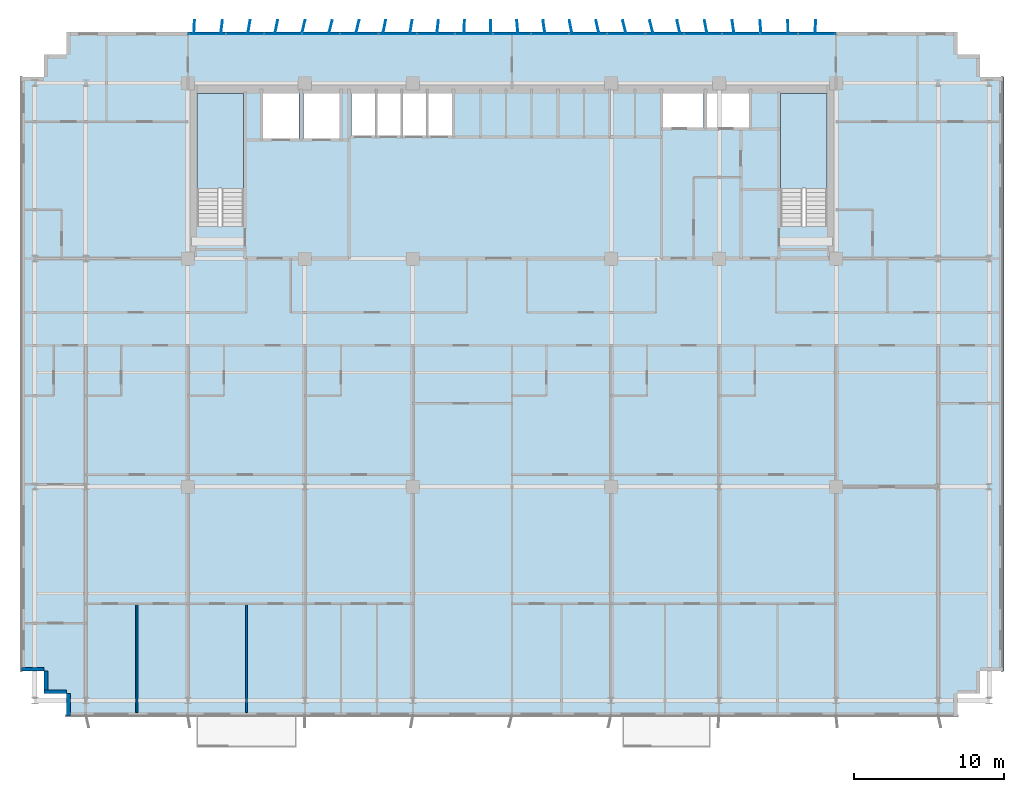
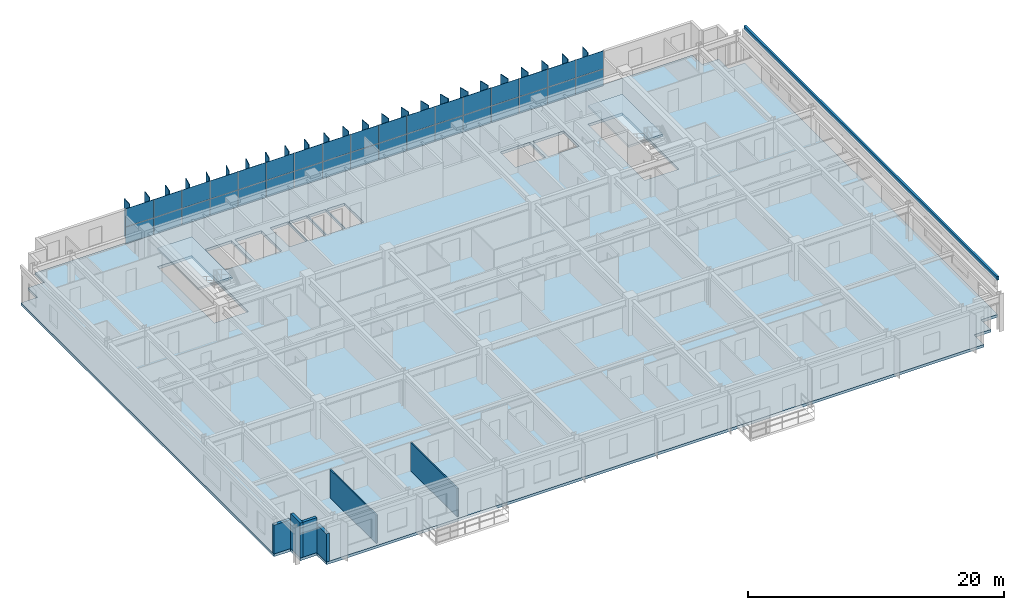
# One storey, part 14 of 24: 59 plates, 6 walls, 3 slabs, 3 elements without a shape of their own.
"""IFC4 building model written with IfcOpenShell, lengths in metres."""

from ifc_helpers import new_model, si_unit, direction, frame, frame_2d, origin, origin_2d, place, context, subcontext, project, spatial, polyline, rectangle, outline, extrude, source, transform, mapped, material, layer, layer_set, type_object, element, aggregate, save


model = new_model("IFC4")

# Units and contexts
model_context = context("Model", 3, precision=1e-05, world=origin(), true_north=direction((0.0, 1.0)))
body_context = subcontext(model_context, "Body", "Model", "MODEL_VIEW")
ifc_project = project(units=[si_unit("LENGTHUNIT", "METRE"), si_unit("AREAUNIT", "SQUARE_METRE"), si_unit("VOLUMEUNIT", "CUBIC_METRE"), si_unit("PLANEANGLEUNIT", "RADIAN"), si_unit("MASSUNIT", "GRAM", prefix="KILO")], contexts=[model_context])

# Site, building, storey
site_placement = place(None, origin())
site = spatial("IfcSite", under=ifc_project, at=site_placement, CompositionType="ELEMENT")
building_placement = place(site_placement, origin())
building = spatial("IfcBuilding", under=site, at=building_placement, Name="Trelvane Seafront Commons", CompositionType="ELEMENT")
storey_placement = place(building_placement, frame((0.0, 0.0, 27.10009765625)))
storey = spatial("IfcBuildingStorey", under=building, at=storey_placement, Name="L06", CompositionType="ELEMENT", Elevation=27.10009765625)

# Stair, slab
ifc_material_1 = material(Name="Concrete C40/50", Category="concrete")
stair_type_1 = type_object("IfcStairType", Name="ARCH-STR-ST-1-R20-180", PredefinedType="HALF_TURN_STAIR", material=ifc_material_1)
stair_1_placement = place(storey_placement, origin())
stair_1 = element("IfcStair", 1, at=stair_1_placement, inside=storey, type_object=stair_type_1, Name="L06 West Protected Firefighting Exit Stair ST-1", PredefinedType="HALF_TURN_STAIR")
ifc_layer_1 = layer(ifc_material_1, 0.199951171875, Name="ARCH-LND-200")
ifc_layer_set_1 = layer_set([ifc_layer_1], Name="Concrete C40/50")
slab_type_1 = type_object("IfcSlabType", Name="ARCH-LND-200", PredefinedType="LANDING", material=ifc_layer_set_1)
slab_1_placement = place(storey_placement, frame((0.0, 0.0, 1.599853515625)))
slab_1 = element("IfcSlab", 2, at=slab_1_placement, type_object=slab_type_1, Name="ST-1 landing 1", PredefinedType="LANDING", context=body_context, shape_type="SweptSolid", body=[
    extrude(outline(polyline([(19.300048828125, 38.070068359375), (19.300048828125, 44.39990234375), (16.199951171875, 44.39990234375), (16.199951171875, 38.070068359375), (19.300048828125, 38.070068359375)])), origin(), (0.0, 0.0, 1.0), 0.199951171875),
])
aggregate(stair_1, [slab_1])

stair_type_2 = type_object("IfcStairType", Name="ARCH-STR-ST-2-R20-180", PredefinedType="HALF_TURN_STAIR", material=ifc_material_1)
stair_2_placement = place(storey_placement, origin())
stair_2 = element("IfcStair", 3, at=stair_2_placement, inside=storey, type_object=stair_type_2, Name="L06 East Protected Firefighting Exit Stair ST-2", PredefinedType="HALF_TURN_STAIR")
slab_2_placement = place(storey_placement, frame((0.0, 0.0, 1.599853515625)))
slab_2 = element("IfcSlab", 4, at=slab_2_placement, type_object=slab_type_1, Name="ST-2 landing 1", PredefinedType="LANDING", context=body_context, shape_type="SweptSolid", body=[
    extrude(outline(polyline([(58.199951171875, 38.070068359375), (58.199951171875, 44.39990234375), (55.10009765625, 44.39990234375), (55.10009765625, 38.070068359375), (58.199951171875, 38.070068359375)])), origin(), (0.0, 0.0, 1.0), 0.199951171875),
])
aggregate(stair_2, [slab_2])

# Slab
ifc_material_2 = material(Name="Concrete C50/60", Category="concrete")
ifc_layer_2 = layer(ifc_material_2, 0.260009765625, Name="STR-SLB-Z1-260")
ifc_layer_set_2 = layer_set([ifc_layer_2], Name="Concrete C50/60")
slab_type_2 = type_object("IfcSlabType", Name="STR-SLB-Z1-260", PredefinedType="FLOOR", material=ifc_layer_set_2)
slab_3_placement = place(storey_placement, frame((0.0, 0.0, -0.260009765625)))
element("IfcSlab", 5, at=slab_3_placement, inside=storey, type_object=slab_type_2, Name="L06 Structural Floor Slab", PredefinedType="FLOOR", context=body_context, shape_type="SweptSolid", body=[
    extrude(outline(polyline([(7.5, 2.89990234375), (66.89990234375, 2.89990234375), (66.89990234375, 4.39990234375), (68.39990234375, 4.39990234375), (68.39990234375, 5.89990234375), (69.89990234375, 5.89990234375), (69.89990234375, 45.5), (68.39990234375, 45.5), (68.39990234375, 47.0), (66.89990234375, 47.0), (66.89990234375, 48.5), (7.5, 48.5), (7.5, 47.0), (6.0, 47.0), (6.0, 45.5), (4.5, 45.5), (4.5, 5.89990234375), (6.0, 5.89990234375), (6.0, 4.39990234375), (7.5, 4.39990234375), (7.5, 2.89990234375)]), holes=[polyline([(19.300048828125, 35.550048828125), (16.199951171875, 35.550048828125), (16.199951171875, 44.39990234375), (19.300048828125, 44.39990234375), (19.300048828125, 35.550048828125)]), polyline([(58.199951171875, 35.550048828125), (55.10009765625, 35.550048828125), (55.10009765625, 44.39990234375), (58.199951171875, 44.39990234375), (58.199951171875, 35.550048828125)]), polyline([(23.0, 41.39990234375), (20.60009765625, 41.39990234375), (20.60009765625, 44.60009765625), (23.0, 44.60009765625), (23.0, 41.39990234375)]), polyline([(23.300048828125, 41.39990234375), (23.300048828125, 44.60009765625), (25.699951171875, 44.60009765625), (25.699951171875, 41.39990234375), (23.300048828125, 41.39990234375)]), polyline([(26.5, 41.60009765625), (26.5, 44.60009765625), (28.1201171875, 44.60009765625), (28.1201171875, 41.60009765625), (26.5, 41.60009765625)]), polyline([(29.820068359375, 41.60009765625), (28.199951171875, 41.60009765625), (28.199951171875, 44.60009765625), (29.820068359375, 44.60009765625), (29.820068359375, 41.60009765625)]), polyline([(31.52001953125, 41.60009765625), (29.89990234375, 41.60009765625), (29.89990234375, 44.60009765625), (31.52001953125, 44.60009765625), (31.52001953125, 41.60009765625)]), polyline([(33.219970703125, 41.60009765625), (31.60009765625, 41.60009765625), (31.60009765625, 44.60009765625), (33.219970703125, 44.60009765625), (33.219970703125, 41.60009765625)]), polyline([(47.25, 42.14990234375), (47.25, 44.550048828125), (49.949951171875, 44.550048828125), (49.949951171875, 42.14990234375), (47.25, 42.14990234375)]), polyline([(50.199951171875, 42.14990234375), (50.199951171875, 44.550048828125), (53.0, 44.550048828125), (53.0, 42.14990234375), (50.199951171875, 42.14990234375)])]), origin(), (0.0, 0.0, 1.0), 0.260009765625),
])

# Curtain wall, plates
ifc_material_3 = material(Name="Anodised pale-silver aluminium", Category="aluminium")
curtain_wall_type = type_object("IfcCurtainWallType", Name="ARCH-CW2-LOWTOWER", PredefinedType="NOTDEFINED", material=ifc_material_3)
curtain_wall_placement = place(storey_placement, origin())
curtain_wall = element("IfcCurtainWall", 6, at=curtain_wall_placement, inside=storey, type_object=curtain_wall_type, Name="CW-L06-0030", PredefinedType="NOTDEFINED")
ifc_material_4 = material(Name="Low-E coastal double glazing", Category="glass")
ifc_layer_3 = layer(ifc_material_4, 0.033935546875, Name="ARCH-CW-GLAZ-34")
ifc_layer_set_3 = layer_set([ifc_layer_3], Name="Low-E coastal double glazing")
plate_type_1 = type_object("IfcPlateType", Name="ARCH-CW-GLAZ-34", PredefinedType="CURTAIN_PANEL", material=ifc_layer_set_3)
shared_shape_1 = source(origin(), body_context, "Body", "SweptSolid", [
    extrude(rectangle(XDim=2.51708984375, YDim=0.031982421875, at=origin_2d()), origin(), (0.0, 0.0, 1.0), 1.5849609375),
])
plate_1_placement = place(storey_placement, frame((16.87060546875, 48.3701171875, 0.0), z_axis=(0.0, 0.0, 1.0), x_axis=(1.0, 0.0, 0.0)))
plate_1 = element("IfcPlate", 7, at=plate_1_placement, type_object=plate_type_1, Name="CW-L06-0030-P00-1", PredefinedType="CURTAIN_PANEL", context=body_context, shape_type="MappedRepresentation", body=[
    mapped(shared_shape_1, transform((0.0, 0.0, 0.0), x_axis=(1.0, 0.0, 0.0), y_axis=(0.0, 1.0, 0.0), z_axis=(0.0, 0.0, 1.0), scale=1.0)),
])
plate_2_placement = place(storey_placement, frame((19.411865234375, 48.3701171875, 0.0), z_axis=(0.0, 0.0, 1.0), x_axis=(1.0, 0.0, 0.0)))
plate_2 = element("IfcPlate", 8, at=plate_2_placement, type_object=plate_type_1, Name="CW-L06-0030-P01-1", PredefinedType="CURTAIN_PANEL", context=body_context, shape_type="MappedRepresentation", body=[
    mapped(shared_shape_1, transform((0.0, 0.0, 0.0), x_axis=(1.0, 0.0, 0.0), y_axis=(0.0, 1.0, 0.0), z_axis=(0.0, 0.0, 1.0), scale=1.0)),
])
plate_3_placement = place(storey_placement, frame((21.952880859375, 48.3701171875, 0.0), z_axis=(0.0, 0.0, 1.0), x_axis=(1.0, 0.0, 0.0)))
plate_3 = element("IfcPlate", 9, at=plate_3_placement, type_object=plate_type_1, Name="CW-L06-0030-P02-1", PredefinedType="CURTAIN_PANEL", context=body_context, shape_type="MappedRepresentation", body=[
    mapped(shared_shape_1, transform((0.0, 0.0, 0.0), x_axis=(1.0, 0.0, 0.0), y_axis=(0.0, 1.0, 0.0), z_axis=(0.0, 0.0, 1.0), scale=1.0)),
])
plate_4_placement = place(storey_placement, frame((24.494140625, 48.3701171875, 0.0), z_axis=(0.0, 0.0, 1.0), x_axis=(1.0, 0.0, 0.0)))
plate_4 = element("IfcPlate", 10, at=plate_4_placement, type_object=plate_type_1, Name="CW-L06-0030-P03-1", PredefinedType="CURTAIN_PANEL", context=body_context, shape_type="MappedRepresentation", body=[
    mapped(shared_shape_1, transform((0.0, 0.0, 0.0), x_axis=(1.0, 0.0, 0.0), y_axis=(0.0, 1.0, 0.0), z_axis=(0.0, 0.0, 1.0), scale=1.0)),
])
plate_5_placement = place(storey_placement, frame((27.035400390625, 48.3701171875, 0.0), z_axis=(0.0, 0.0, 1.0), x_axis=(1.0, 0.0, 0.0)))
plate_5 = element("IfcPlate", 11, at=plate_5_placement, type_object=plate_type_1, Name="CW-L06-0030-P04-1", PredefinedType="CURTAIN_PANEL", context=body_context, shape_type="MappedRepresentation", body=[
    mapped(shared_shape_1, transform((0.0, 0.0, 0.0), x_axis=(1.0, 0.0, 0.0), y_axis=(0.0, 1.0, 0.0), z_axis=(0.0, 0.0, 1.0), scale=1.0)),
])
plate_6_placement = place(storey_placement, frame((29.576416015625, 48.3701171875, 0.0), z_axis=(0.0, 0.0, 1.0), x_axis=(1.0, 0.0, 0.0)))
plate_6 = element("IfcPlate", 12, at=plate_6_placement, type_object=plate_type_1, Name="CW-L06-0030-P05-1", PredefinedType="CURTAIN_PANEL", context=body_context, shape_type="MappedRepresentation", body=[
    mapped(shared_shape_1, transform((0.0, 0.0, 0.0), x_axis=(1.0, 0.0, 0.0), y_axis=(0.0, 1.0, 0.0), z_axis=(0.0, 0.0, 1.0), scale=1.0)),
])
plate_7_placement = place(storey_placement, frame((32.11767578125, 48.3701171875, 0.0), z_axis=(0.0, 0.0, 1.0), x_axis=(1.0, 0.0, 0.0)))
plate_7 = element("IfcPlate", 13, at=plate_7_placement, type_object=plate_type_1, Name="CW-L06-0030-P06-1", PredefinedType="CURTAIN_PANEL", context=body_context, shape_type="MappedRepresentation", body=[
    mapped(shared_shape_1, transform((0.0, 0.0, 0.0), x_axis=(1.0, 0.0, 0.0), y_axis=(0.0, 1.0, 0.0), z_axis=(0.0, 0.0, 1.0), scale=1.0)),
])
plate_8_placement = place(storey_placement, frame((34.65869140625, 48.3701171875, 0.0), z_axis=(0.0, 0.0, 1.0), x_axis=(1.0, 0.0, 0.0)))
plate_8 = element("IfcPlate", 14, at=plate_8_placement, type_object=plate_type_1, Name="CW-L06-0030-P07-1", PredefinedType="CURTAIN_PANEL", context=body_context, shape_type="MappedRepresentation", body=[
    mapped(shared_shape_1, transform((0.0, 0.0, 0.0), x_axis=(1.0, 0.0, 0.0), y_axis=(0.0, 1.0, 0.0), z_axis=(0.0, 0.0, 1.0), scale=1.0)),
])
plate_9_placement = place(storey_placement, frame((37.199951171875, 48.3701171875, 0.0), z_axis=(0.0, 0.0, 1.0), x_axis=(1.0, 0.0, 0.0)))
plate_9 = element("IfcPlate", 15, at=plate_9_placement, type_object=plate_type_1, Name="CW-L06-0030-P08-1", PredefinedType="CURTAIN_PANEL", context=body_context, shape_type="MappedRepresentation", body=[
    mapped(shared_shape_1, transform((0.0, 0.0, 0.0), x_axis=(1.0, 0.0, 0.0), y_axis=(0.0, 1.0, 0.0), z_axis=(0.0, 0.0, 1.0), scale=1.0)),
])
plate_10_placement = place(storey_placement, frame((39.7412109375, 48.3701171875, 0.0), z_axis=(0.0, 0.0, 1.0), x_axis=(1.0, 0.0, 0.0)))
plate_10 = element("IfcPlate", 16, at=plate_10_placement, type_object=plate_type_1, Name="CW-L06-0030-P09-1", PredefinedType="CURTAIN_PANEL", context=body_context, shape_type="MappedRepresentation", body=[
    mapped(shared_shape_1, transform((0.0, 0.0, 0.0), x_axis=(1.0, 0.0, 0.0), y_axis=(0.0, 1.0, 0.0), z_axis=(0.0, 0.0, 1.0), scale=1.0)),
])
plate_11_placement = place(storey_placement, frame((42.282470703125, 48.3701171875, 0.0), z_axis=(0.0, 0.0, 1.0), x_axis=(1.0, 0.0, 0.0)))
plate_11 = element("IfcPlate", 17, at=plate_11_placement, type_object=plate_type_1, Name="CW-L06-0030-P10-1", PredefinedType="CURTAIN_PANEL", context=body_context, shape_type="MappedRepresentation", body=[
    mapped(shared_shape_1, transform((0.0, 0.0, 0.0), x_axis=(1.0, 0.0, 0.0), y_axis=(0.0, 1.0, 0.0), z_axis=(0.0, 0.0, 1.0), scale=1.0)),
])
plate_12_placement = place(storey_placement, frame((44.823486328125, 48.3701171875, 0.0), z_axis=(0.0, 0.0, 1.0), x_axis=(1.0, 0.0, 0.0)))
plate_12 = element("IfcPlate", 18, at=plate_12_placement, type_object=plate_type_1, Name="CW-L06-0030-P11-1", PredefinedType="CURTAIN_PANEL", context=body_context, shape_type="MappedRepresentation", body=[
    mapped(shared_shape_1, transform((0.0, 0.0, 0.0), x_axis=(1.0, 0.0, 0.0), y_axis=(0.0, 1.0, 0.0), z_axis=(0.0, 0.0, 1.0), scale=1.0)),
])
plate_13_placement = place(storey_placement, frame((47.36474609375, 48.3701171875, 0.0), z_axis=(0.0, 0.0, 1.0), x_axis=(1.0, 0.0, 0.0)))
plate_13 = element("IfcPlate", 19, at=plate_13_placement, type_object=plate_type_1, Name="CW-L06-0030-P12-1", PredefinedType="CURTAIN_PANEL", context=body_context, shape_type="MappedRepresentation", body=[
    mapped(shared_shape_1, transform((0.0, 0.0, 0.0), x_axis=(1.0, 0.0, 0.0), y_axis=(0.0, 1.0, 0.0), z_axis=(0.0, 0.0, 1.0), scale=1.0)),
])
plate_14_placement = place(storey_placement, frame((49.906005859375, 48.3701171875, 0.0), z_axis=(0.0, 0.0, 1.0), x_axis=(1.0, 0.0, 0.0)))
plate_14 = element("IfcPlate", 20, at=plate_14_placement, type_object=plate_type_1, Name="CW-L06-0030-P13-1", PredefinedType="CURTAIN_PANEL", context=body_context, shape_type="MappedRepresentation", body=[
    mapped(shared_shape_1, transform((0.0, 0.0, 0.0), x_axis=(1.0, 0.0, 0.0), y_axis=(0.0, 1.0, 0.0), z_axis=(0.0, 0.0, 1.0), scale=1.0)),
])
plate_15_placement = place(storey_placement, frame((52.447021484375, 48.3701171875, 0.0), z_axis=(0.0, 0.0, 1.0), x_axis=(1.0, 0.0, 0.0)))
plate_15 = element("IfcPlate", 21, at=plate_15_placement, type_object=plate_type_1, Name="CW-L06-0030-P14-1", PredefinedType="CURTAIN_PANEL", context=body_context, shape_type="MappedRepresentation", body=[
    mapped(shared_shape_1, transform((0.0, 0.0, 0.0), x_axis=(1.0, 0.0, 0.0), y_axis=(0.0, 1.0, 0.0), z_axis=(0.0, 0.0, 1.0), scale=1.0)),
])
plate_16_placement = place(storey_placement, frame((54.98828125, 48.3701171875, 0.0), z_axis=(0.0, 0.0, 1.0), x_axis=(1.0, 0.0, 0.0)))
plate_16 = element("IfcPlate", 22, at=plate_16_placement, type_object=plate_type_1, Name="CW-L06-0030-P15-1", PredefinedType="CURTAIN_PANEL", context=body_context, shape_type="MappedRepresentation", body=[
    mapped(shared_shape_1, transform((0.0, 0.0, 0.0), x_axis=(1.0, 0.0, 0.0), y_axis=(0.0, 1.0, 0.0), z_axis=(0.0, 0.0, 1.0), scale=1.0)),
])
plate_17_placement = place(storey_placement, frame((57.529296875, 48.3701171875, 0.0), z_axis=(0.0, 0.0, 1.0), x_axis=(1.0, 0.0, 0.0)))
plate_17 = element("IfcPlate", 23, at=plate_17_placement, type_object=plate_type_1, Name="CW-L06-0030-P16-1", PredefinedType="CURTAIN_PANEL", context=body_context, shape_type="MappedRepresentation", body=[
    mapped(shared_shape_1, transform((0.0, 0.0, 0.0), x_axis=(1.0, 0.0, 0.0), y_axis=(0.0, 1.0, 0.0), z_axis=(0.0, 0.0, 1.0), scale=1.0)),
])
shared_shape_2 = source(origin(), body_context, "Body", "SweptSolid", [
    extrude(rectangle(XDim=2.51708984375, YDim=0.031982421875, at=origin_2d()), origin(), (0.0, 0.0, 1.0), 1.718994140625),
])
plate_18_placement = place(storey_placement, frame((16.87060546875, 48.3701171875, 1.62109375), z_axis=(0.0, 0.0, 1.0), x_axis=(1.0, 0.0, 0.0)))
plate_18 = element("IfcPlate", 24, at=plate_18_placement, type_object=plate_type_1, Name="CW-L06-0030-P00-2", PredefinedType="CURTAIN_PANEL", context=body_context, shape_type="MappedRepresentation", body=[
    mapped(shared_shape_2, transform((0.0, 0.0, 0.0), x_axis=(1.0, 0.0, 0.0), y_axis=(0.0, 1.0, 0.0), z_axis=(0.0, 0.0, 1.0), scale=1.0)),
])
plate_19_placement = place(storey_placement, frame((19.411865234375, 48.3701171875, 1.62109375), z_axis=(0.0, 0.0, 1.0), x_axis=(1.0, 0.0, 0.0)))
plate_19 = element("IfcPlate", 25, at=plate_19_placement, type_object=plate_type_1, Name="CW-L06-0030-P01-2", PredefinedType="CURTAIN_PANEL", context=body_context, shape_type="MappedRepresentation", body=[
    mapped(shared_shape_2, transform((0.0, 0.0, 0.0), x_axis=(1.0, 0.0, 0.0), y_axis=(0.0, 1.0, 0.0), z_axis=(0.0, 0.0, 1.0), scale=1.0)),
])
plate_20_placement = place(storey_placement, frame((21.952880859375, 48.3701171875, 1.62109375), z_axis=(0.0, 0.0, 1.0), x_axis=(1.0, 0.0, 0.0)))
plate_20 = element("IfcPlate", 26, at=plate_20_placement, type_object=plate_type_1, Name="CW-L06-0030-P02-2", PredefinedType="CURTAIN_PANEL", context=body_context, shape_type="MappedRepresentation", body=[
    mapped(shared_shape_2, transform((0.0, 0.0, 0.0), x_axis=(1.0, 0.0, 0.0), y_axis=(0.0, 1.0, 0.0), z_axis=(0.0, 0.0, 1.0), scale=1.0)),
])
plate_21_placement = place(storey_placement, frame((24.494140625, 48.3701171875, 1.62109375), z_axis=(0.0, 0.0, 1.0), x_axis=(1.0, 0.0, 0.0)))
plate_21 = element("IfcPlate", 27, at=plate_21_placement, type_object=plate_type_1, Name="CW-L06-0030-P03-2", PredefinedType="CURTAIN_PANEL", context=body_context, shape_type="MappedRepresentation", body=[
    mapped(shared_shape_2, transform((0.0, 0.0, 0.0), x_axis=(1.0, 0.0, 0.0), y_axis=(0.0, 1.0, 0.0), z_axis=(0.0, 0.0, 1.0), scale=1.0)),
])
plate_22_placement = place(storey_placement, frame((27.035400390625, 48.3701171875, 1.62109375), z_axis=(0.0, 0.0, 1.0), x_axis=(1.0, 0.0, 0.0)))
plate_22 = element("IfcPlate", 28, at=plate_22_placement, type_object=plate_type_1, Name="CW-L06-0030-P04-2", PredefinedType="CURTAIN_PANEL", context=body_context, shape_type="MappedRepresentation", body=[
    mapped(shared_shape_2, transform((0.0, 0.0, 0.0), x_axis=(1.0, 0.0, 0.0), y_axis=(0.0, 1.0, 0.0), z_axis=(0.0, 0.0, 1.0), scale=1.0)),
])
plate_23_placement = place(storey_placement, frame((29.576416015625, 48.3701171875, 1.62109375), z_axis=(0.0, 0.0, 1.0), x_axis=(1.0, 0.0, 0.0)))
plate_23 = element("IfcPlate", 29, at=plate_23_placement, type_object=plate_type_1, Name="CW-L06-0030-P05-2", PredefinedType="CURTAIN_PANEL", context=body_context, shape_type="MappedRepresentation", body=[
    mapped(shared_shape_2, transform((0.0, 0.0, 0.0), x_axis=(1.0, 0.0, 0.0), y_axis=(0.0, 1.0, 0.0), z_axis=(0.0, 0.0, 1.0), scale=1.0)),
])
plate_24_placement = place(storey_placement, frame((32.11767578125, 48.3701171875, 1.62109375), z_axis=(0.0, 0.0, 1.0), x_axis=(1.0, 0.0, 0.0)))
plate_24 = element("IfcPlate", 30, at=plate_24_placement, type_object=plate_type_1, Name="CW-L06-0030-P06-2", PredefinedType="CURTAIN_PANEL", context=body_context, shape_type="MappedRepresentation", body=[
    mapped(shared_shape_2, transform((0.0, 0.0, 0.0), x_axis=(1.0, 0.0, 0.0), y_axis=(0.0, 1.0, 0.0), z_axis=(0.0, 0.0, 1.0), scale=1.0)),
])
plate_25_placement = place(storey_placement, frame((34.65869140625, 48.3701171875, 1.62109375), z_axis=(0.0, 0.0, 1.0), x_axis=(1.0, 0.0, 0.0)))
plate_25 = element("IfcPlate", 31, at=plate_25_placement, type_object=plate_type_1, Name="CW-L06-0030-P07-2", PredefinedType="CURTAIN_PANEL", context=body_context, shape_type="MappedRepresentation", body=[
    mapped(shared_shape_2, transform((0.0, 0.0, 0.0), x_axis=(1.0, 0.0, 0.0), y_axis=(0.0, 1.0, 0.0), z_axis=(0.0, 0.0, 1.0), scale=1.0)),
])
plate_26_placement = place(storey_placement, frame((37.199951171875, 48.3701171875, 1.62109375), z_axis=(0.0, 0.0, 1.0), x_axis=(1.0, 0.0, 0.0)))
plate_26 = element("IfcPlate", 32, at=plate_26_placement, type_object=plate_type_1, Name="CW-L06-0030-P08-2", PredefinedType="CURTAIN_PANEL", context=body_context, shape_type="MappedRepresentation", body=[
    mapped(shared_shape_2, transform((0.0, 0.0, 0.0), x_axis=(1.0, 0.0, 0.0), y_axis=(0.0, 1.0, 0.0), z_axis=(0.0, 0.0, 1.0), scale=1.0)),
])
plate_27_placement = place(storey_placement, frame((39.7412109375, 48.3701171875, 1.62109375), z_axis=(0.0, 0.0, 1.0), x_axis=(1.0, 0.0, 0.0)))
plate_27 = element("IfcPlate", 33, at=plate_27_placement, type_object=plate_type_1, Name="CW-L06-0030-P09-2", PredefinedType="CURTAIN_PANEL", context=body_context, shape_type="MappedRepresentation", body=[
    mapped(shared_shape_2, transform((0.0, 0.0, 0.0), x_axis=(1.0, 0.0, 0.0), y_axis=(0.0, 1.0, 0.0), z_axis=(0.0, 0.0, 1.0), scale=1.0)),
])
plate_28_placement = place(storey_placement, frame((42.282470703125, 48.3701171875, 1.62109375), z_axis=(0.0, 0.0, 1.0), x_axis=(1.0, 0.0, 0.0)))
plate_28 = element("IfcPlate", 34, at=plate_28_placement, type_object=plate_type_1, Name="CW-L06-0030-P10-2", PredefinedType="CURTAIN_PANEL", context=body_context, shape_type="MappedRepresentation", body=[
    mapped(shared_shape_2, transform((0.0, 0.0, 0.0), x_axis=(1.0, 0.0, 0.0), y_axis=(0.0, 1.0, 0.0), z_axis=(0.0, 0.0, 1.0), scale=1.0)),
])
plate_29_placement = place(storey_placement, frame((44.823486328125, 48.3701171875, 1.62109375), z_axis=(0.0, 0.0, 1.0), x_axis=(1.0, 0.0, 0.0)))
plate_29 = element("IfcPlate", 35, at=plate_29_placement, type_object=plate_type_1, Name="CW-L06-0030-P11-2", PredefinedType="CURTAIN_PANEL", context=body_context, shape_type="MappedRepresentation", body=[
    mapped(shared_shape_2, transform((0.0, 0.0, 0.0), x_axis=(1.0, 0.0, 0.0), y_axis=(0.0, 1.0, 0.0), z_axis=(0.0, 0.0, 1.0), scale=1.0)),
])
plate_30_placement = place(storey_placement, frame((47.36474609375, 48.3701171875, 1.62109375), z_axis=(0.0, 0.0, 1.0), x_axis=(1.0, 0.0, 0.0)))
plate_30 = element("IfcPlate", 36, at=plate_30_placement, type_object=plate_type_1, Name="CW-L06-0030-P12-2", PredefinedType="CURTAIN_PANEL", context=body_context, shape_type="MappedRepresentation", body=[
    mapped(shared_shape_2, transform((0.0, 0.0, 0.0), x_axis=(1.0, 0.0, 0.0), y_axis=(0.0, 1.0, 0.0), z_axis=(0.0, 0.0, 1.0), scale=1.0)),
])
plate_31_placement = place(storey_placement, frame((49.906005859375, 48.3701171875, 1.62109375), z_axis=(0.0, 0.0, 1.0), x_axis=(1.0, 0.0, 0.0)))
plate_31 = element("IfcPlate", 37, at=plate_31_placement, type_object=plate_type_1, Name="CW-L06-0030-P13-2", PredefinedType="CURTAIN_PANEL", context=body_context, shape_type="MappedRepresentation", body=[
    mapped(shared_shape_2, transform((0.0, 0.0, 0.0), x_axis=(1.0, 0.0, 0.0), y_axis=(0.0, 1.0, 0.0), z_axis=(0.0, 0.0, 1.0), scale=1.0)),
])
plate_32_placement = place(storey_placement, frame((52.447021484375, 48.3701171875, 1.62109375), z_axis=(0.0, 0.0, 1.0), x_axis=(1.0, 0.0, 0.0)))
plate_32 = element("IfcPlate", 38, at=plate_32_placement, type_object=plate_type_1, Name="CW-L06-0030-P14-2", PredefinedType="CURTAIN_PANEL", context=body_context, shape_type="MappedRepresentation", body=[
    mapped(shared_shape_2, transform((0.0, 0.0, 0.0), x_axis=(1.0, 0.0, 0.0), y_axis=(0.0, 1.0, 0.0), z_axis=(0.0, 0.0, 1.0), scale=1.0)),
])
plate_33_placement = place(storey_placement, frame((54.98828125, 48.3701171875, 1.62109375), z_axis=(0.0, 0.0, 1.0), x_axis=(1.0, 0.0, 0.0)))
plate_33 = element("IfcPlate", 39, at=plate_33_placement, type_object=plate_type_1, Name="CW-L06-0030-P15-2", PredefinedType="CURTAIN_PANEL", context=body_context, shape_type="MappedRepresentation", body=[
    mapped(shared_shape_2, transform((0.0, 0.0, 0.0), x_axis=(1.0, 0.0, 0.0), y_axis=(0.0, 1.0, 0.0), z_axis=(0.0, 0.0, 1.0), scale=1.0)),
])
plate_34_placement = place(storey_placement, frame((57.529296875, 48.3701171875, 1.62109375), z_axis=(0.0, 0.0, 1.0), x_axis=(1.0, 0.0, 0.0)))
plate_34 = element("IfcPlate", 40, at=plate_34_placement, type_object=plate_type_1, Name="CW-L06-0030-P16-2", PredefinedType="CURTAIN_PANEL", context=body_context, shape_type="MappedRepresentation", body=[
    mapped(shared_shape_2, transform((0.0, 0.0, 0.0), x_axis=(1.0, 0.0, 0.0), y_axis=(0.0, 1.0, 0.0), z_axis=(0.0, 0.0, 1.0), scale=1.0)),
])
aggregate(curtain_wall, [plate_1, plate_18, plate_2, plate_19, plate_3, plate_20, plate_4, plate_21, plate_5, plate_22, plate_6, plate_23, plate_7, plate_24, plate_8, plate_25, plate_9, plate_26, plate_10, plate_27, plate_11, plate_28, plate_12, plate_29, plate_13, plate_30, plate_14, plate_31, plate_15, plate_32, plate_16, plate_33, plate_17, plate_34])

# Plates
ifc_layer_4 = layer(ifc_material_3, 0.06005859375, Name="ARCH-PLATE-FIN900")
ifc_layer_set_4 = layer_set([ifc_layer_4], Name="Anodised pale-silver aluminium")
plate_type_2 = type_object("IfcPlateType", Name="ARCH-PLATE-FIN900", PredefinedType="USERDEFINED", material=ifc_layer_set_4)
shared_shape_3 = source(origin(), body_context, "Body", "SweptSolid", [
    extrude(rectangle(XDim=0.89990234375, YDim=0.06005859375, at=origin_2d()), origin(), (0.0, 0.0, 1.0), 3.639892578125),
])
for number, where, z_axis, x_axis, name in (
    (41, (16.02392578125, 48.849365234375, -0.02001953125), (0.0, 0.0, 1.0), (0.053334633, 0.998576695564, 0.0), "FIN-L06-00034"),
    (42, (17.85205078125, 48.846923828125, -0.02001953125), (0.0, 0.0, 1.0), (0.115441660548, 0.993314261958, 0.0), "FIN-L06-00035"),
    (43, (19.67578125, 48.843505859375, -0.02001953125), (0.0, 0.0, 1.0), (0.168668296007, 0.985672869629, 0.0), "FIN-L06-00036"),
    (44, (21.494140625, 48.840087890625, -0.02001953125), (0.0, 0.0, 1.0), (0.20911168832, 0.977891763851, 0.0), "FIN-L06-00037"),
    (45, (23.305419921875, 48.83740234375, -0.02001953125), (0.0, 0.0, 1.0), (0.234108877762, 0.972210385335, 0.0), "FIN-L06-00038"),
    (46, (25.10888671875, 48.836669921875, -0.02001953125), (0.0, 0.0, 1.0), (0.241881251735, 0.970305859025, 0.0), "FIN-L06-00039"),
    (47, (26.904541015625, 48.837646484375, -0.02001953125), (0.0, 0.0, 1.0), (0.232116312545, 0.972688037066, 0.0), "FIN-L06-00040"),
    (48, (28.6923828125, 48.84033203125, -0.02001953125), (0.0, 0.0, 1.0), (0.205338239859, 0.978691068342, 0.0), "FIN-L06-00041"),
    (49, (30.473388671875, 48.843994140625, -0.02001953125), (0.0, 0.0, 1.0), (0.163336293592, 0.986570451207, 0.0), "FIN-L06-00042"),
    (50, (32.2490234375, 48.847412109375, -0.02001953125), (0.0, 0.0, 1.0), (0.108894634099, 0.994053297698, 0.0), "FIN-L06-00043"),
    (51, (34.020751953125, 48.849609375, -0.02001953125), (0.0, 0.0, 1.0), (0.046112694283, 0.998936243924, 0.0), "FIN-L06-00044"),
    (52, (35.790771484375, 48.849853515625, -0.02001953125), (0.0, 0.0, 1.0), (-0.020333429717, 0.999793254446, 0.0), "FIN-L06-00045"),
    (53, (37.561767578125, 48.848388671875, -0.02001953125), (0.0, 0.0, 1.0), (-0.08522389802, 0.996361825446, 0.0), "FIN-L06-00046"),
    (54, (39.33544921875, 48.84521484375, -0.02001953125), (0.0, 0.0, 1.0), (-0.143442531049, 0.989658648366, 0.0), "FIN-L06-00047"),
    (55, (41.1142578125, 48.841796875, -0.02001953125), (0.0, 0.0, 1.0), (-0.190665079265, 0.981655146958, 0.0), "FIN-L06-00048"),
    (56, (42.8994140625, 48.838623046875, -0.02001953125), (0.0, 0.0, 1.0), (-0.223666908998, 0.974665642064, 0.0), "FIN-L06-00049"),
    (57, (46.492431640625, 48.8369140625, -0.02001953125), (0.0, 0.0, 1.0), (-0.239214768335, 0.970966680484, 0.0), "FIN-L06-00051"),
    (58, (48.30078125, 48.8388671875, -0.02001953125), (0.0, 0.0, 1.0), (-0.22077573981, 0.975324598639, 0.0), "FIN-L06-00052"),
    (59, (50.1162109375, 48.84228515625, -0.02001953125), (0.0, 0.0, 1.0), (-0.18610563245, 0.982529741825, 0.0), "FIN-L06-00053"),
    (60, (51.938232421875, 48.845703125, -0.02001953125), (0.0, 0.0, 1.0), (-0.137437630973, 0.990510422758, 0.0), "FIN-L06-00054"),
    (61, (53.764892578125, 48.8486328125, -0.02001953125), (0.0, 0.0, 1.0), (-0.07822594042, 0.996935656021, 0.0), "FIN-L06-00055"),
    (62, (55.593994140625, 48.849853515625, -0.02001953125), (0.0, 0.0, 1.0), (-0.013000591354, 0.999915488741, 0.0), "FIN-L06-00056"),
    (63, (57.424072265625, 48.849365234375, -0.02001953125), (0.0, 0.0, 1.0), (0.053334633, 0.998576695564, 0.0), "FIN-L06-00057"),
):
    element("IfcPlate", number, at=place(storey_placement, frame(where, z_axis=z_axis, x_axis=x_axis)), inside=storey, type_object=plate_type_2, Name=name, ObjectType="FIN", PredefinedType="USERDEFINED", context=body_context, shape_type="MappedRepresentation", body=[
        mapped(shared_shape_3, transform((0.0, 0.0, 0.0), x_axis=(1.0, 0.0, 0.0), y_axis=(0.0, 1.0, 0.0), z_axis=(0.0, 0.0, 1.0), scale=1.0)),
    ])
shared_shape_4 = source(origin(), body_context, "Body", "SweptSolid", [
    extrude(rectangle(XDim=0.900146484375, YDim=0.06005859375, at=origin_2d()), origin(), (0.0, 0.0, 1.0), 3.639892578125),
])
plate_35_placement = place(storey_placement, frame((44.69189453125, 48.8369140625, -0.02001953125), z_axis=(0.0, 0.0, 1.0), x_axis=(-0.240207711786, 0.97072151269, 0.0)))
element("IfcPlate", 64, at=plate_35_placement, inside=storey, type_object=plate_type_2, Name="FIN-L06-00050", ObjectType="FIN", PredefinedType="USERDEFINED", context=body_context, shape_type="MappedRepresentation", body=[
    mapped(shared_shape_4, transform((0.0, 0.0, 0.0), x_axis=(1.0, 0.0, 0.0), y_axis=(0.0, 1.0, 0.0), z_axis=(0.0, 0.0, 1.0), scale=1.0)),
])
ifc_layer_5 = layer(ifc_material_3, 0.179931640625, Name="ARCH-PLATE-AERO")
ifc_layer_set_5 = layer_set([ifc_layer_5], Name="Anodised pale-silver aluminium")
plate_type_3 = type_object("IfcPlateType", Name="ARCH-PLATE-AERO", PredefinedType="SHEET", material=ifc_layer_set_5)
shared_shape_5 = source(origin(), body_context, "Body", "SweptSolid", [
    extrude(rectangle(XDim=39.60009765625, YDim=0.179931640625, at=origin_2d()), origin(), (0.0, 0.0, 1.0), 0.340087890625),
])
plate_36_placement = place(storey_placement, frame((69.89990234375, 25.699951171875, 3.27978515625), z_axis=(0.0, 0.0, 1.0), x_axis=(0.0, -1.0, 0.0)))
element("IfcPlate", 65, at=plate_36_placement, inside=storey, type_object=plate_type_3, Name="AER-L06-00019", PredefinedType="SHEET", context=body_context, shape_type="MappedRepresentation", body=[
    mapped(shared_shape_5, transform((0.0, 0.0, 0.0), x_axis=(1.0, 0.0, 0.0), y_axis=(0.0, 1.0, 0.0), z_axis=(0.0, 0.0, 1.0), scale=1.0)),
])

# Walls
ifc_material_5 = material(Name="Precast concrete C40/50", Category="concrete")
ifc_layer_6 = layer(ifc_material_5, 0.260009765625, Name="ARCH-WALL-EXT260")
ifc_layer_set_6 = layer_set([ifc_layer_6], Name="Precast concrete C40/50")
wall_type_1 = type_object("IfcWallType", Name="ARCH-WALL-EXT260", PredefinedType="SOLIDWALL", material=ifc_layer_set_6)
for number, where, z_axis, x_axis, name in (
    (66, (7.5, 4.530029296875, 0.0), (0.0, 0.0, 1.0), (-1.0, 0.0, 0.0), "EW-L06-00068"),
    (67, (6.1298828125, 4.39990234375, 0.0), (0.0, 0.0, 1.0), (0.0, 1.0, 0.0), "EW-L06-00069"),
):
    element("IfcWall", number, at=place(storey_placement, frame(where, z_axis=z_axis, x_axis=x_axis)), inside=storey, type_object=wall_type_1, Name=name, PredefinedType="SOLIDWALL", context=body_context, shape_type="SweptSolid", body=[
        extrude(rectangle(XDim=1.5, YDim=0.260009765625, at=frame_2d((0.75, 0.0))), origin(), (0.0, 0.0, 1.0), 3.33984375),
    ])
wall_1_placement = place(storey_placement, frame((6.0, 6.030029296875, 0.0), z_axis=(0.0, 0.0, 1.0), x_axis=(-1.0, 0.0, 0.0)))
element("IfcWall", 68, at=wall_1_placement, inside=storey, type_object=wall_type_1, Name="EW-L06-00070", PredefinedType="SOLIDWALL", context=body_context, shape_type="SweptSolid", body=[
    extrude(rectangle(XDim=1.5, YDim=0.260009765625, at=frame_2d((0.75, 0.0))), origin(), (0.0, 0.0, 1.0), 2.751953125),
])
wall_2_placement = place(storey_placement, frame((7.6298828125, 2.89990234375, 0.0), z_axis=(0.0, 0.0, 1.0), x_axis=(0.0, 1.0, 0.0)))
element("IfcWall", 69, at=wall_2_placement, inside=storey, type_object=wall_type_1, Name="EW-L06-00086", PredefinedType="SOLIDWALL", context=body_context, shape_type="SweptSolid", body=[
    extrude(rectangle(XDim=1.5, YDim=0.260009765625, at=frame_2d((0.75, 0.0))), origin(), (0.0, 0.0, 1.0), 2.68994140625),
])
ifc_material_6 = material(Name="Gypsum Drywall Acoustic Partition")
ifc_layer_7 = layer(ifc_material_6, 0.1201171875, Name="ARCH-WALL-PART120")
ifc_layer_set_7 = layer_set([ifc_layer_7], Name="Gypsum Drywall Acoustic Partition")
wall_type_2 = type_object("IfcWallType", Name="ARCH-WALL-PART120", PredefinedType="PARTITIONING", material=ifc_layer_set_7)
for number, where, z_axis, x_axis, name in (
    (70, (12.199951171875, 3.14501953125, 0.0), (0.0, 0.0, 1.0), (0.0, 1.0, 0.0), "W-L06-U2-BDV-1-084"),
    (71, (19.5, 3.14501953125, 0.0), (0.0, 0.0, 1.0), (0.0, 1.0, 0.0), "W-L06-U3-BDV-1-091"),
):
    element("IfcWall", number, at=place(storey_placement, frame(where, z_axis=z_axis, x_axis=x_axis)), inside=storey, type_object=wall_type_2, Name=name, PredefinedType="PARTITIONING", context=body_context, shape_type="SweptSolid", body=[
        extrude(rectangle(XDim=7.2548828125, YDim=0.1201171875, at=frame_2d((3.62744140625, 0.0))), origin(), (0.0, 0.0, 1.0), 2.68994140625),
    ])

save(model, "model.ifc")
